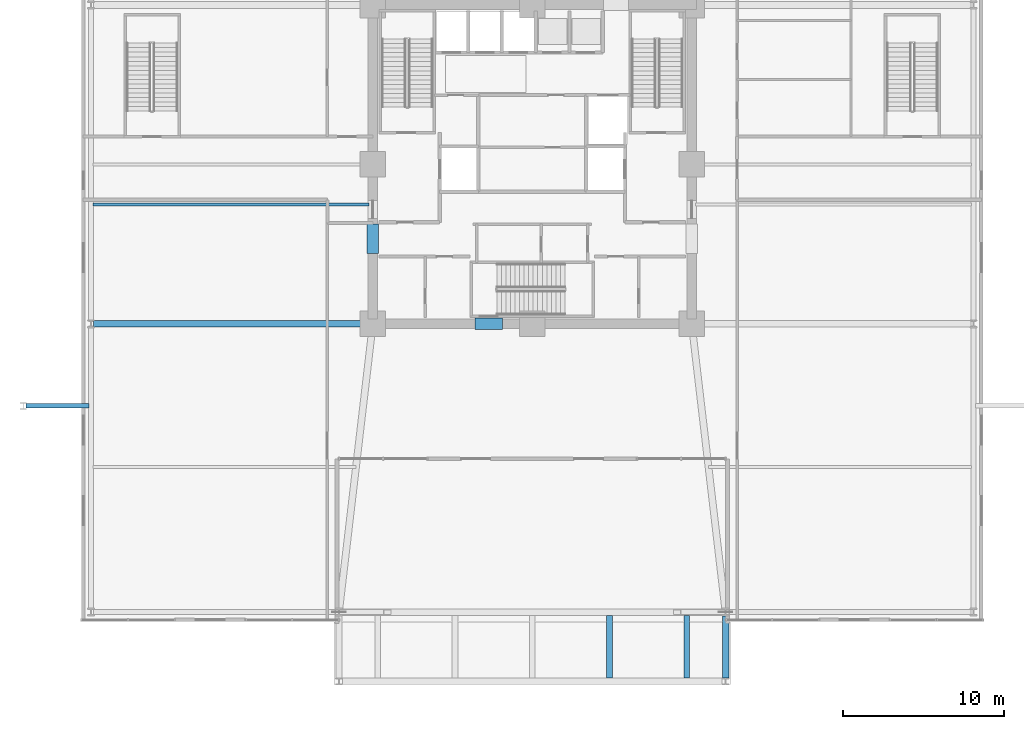
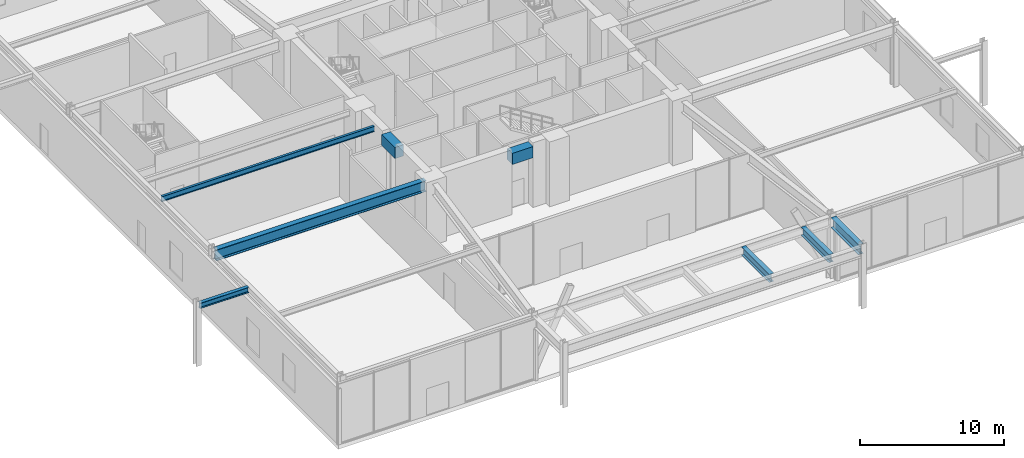
# One storey, part 9 of 24: 8 beams.
"""IFC4 building model written with IfcOpenShell, lengths in metres."""

from ifc_helpers import new_model, si_unit, direction, frame, origin, origin_2d, place, context, subcontext, project, spatial, rectangle, i_section, extrude, material, material_profile, profile_set, type_object, element, save


model = new_model("IFC4")

# Units and contexts
model_context = context("Model", 3, precision=1e-05, world=origin(), true_north=direction((0.0, 1.0)))
body_context = subcontext(model_context, "Body", "Model", "MODEL_VIEW")
ifc_project = project(units=[si_unit("LENGTHUNIT", "METRE"), si_unit("AREAUNIT", "SQUARE_METRE"), si_unit("VOLUMEUNIT", "CUBIC_METRE"), si_unit("PLANEANGLEUNIT", "RADIAN"), si_unit("MASSUNIT", "GRAM", prefix="KILO")], contexts=[model_context])

# Site, building, storey
site_placement = place(None, origin())
site = spatial("IfcSite", under=ifc_project, at=site_placement, CompositionType="ELEMENT")
building_placement = place(site_placement, origin())
building = spatial("IfcBuilding", under=site, at=building_placement, Name="Kolvaren Belvedere", CompositionType="ELEMENT")
storey_placement = place(building_placement, origin())
storey = spatial("IfcBuildingStorey", under=building, at=storey_placement, Name="L01", CompositionType="ELEMENT", Elevation=0.0)

# Beams
ifc_material_1 = material(Name="Structural steel ASTM A992 Grade 50", Category="steel")
ifc_material_profile_1 = material_profile(ifc_material_1, i_section(OverallWidth=0.281982421875, OverallDepth=0.467041015625, WebThickness=0.01220703125, FlangeThickness=0.01953125, FilletRadius=0.014892578125, at=origin_2d()), Name="W18X86")
ifc_profile_set_1 = profile_set([ifc_material_profile_1], Name="Structural steel ASTM A992 Grade 50")
beam_type_1 = type_object("IfcBeamType", Name="BM-CANT-PF", PredefinedType="BEAM", material=ifc_profile_set_1)
beam_1_placement = place(storey_placement, frame((-31.43994140625, -15.0, 4.986572265625), z_axis=(1.0, 0.0, 0.0), x_axis=(0.0, 1.0, 0.0)))
element("IfcBeam", 1, at=beam_1_placement, inside=storey, type_object=beam_type_1, Name="L01 Forecourt Canopy Tie Girder PAD-SW", PredefinedType="BEAM", context=body_context, shape_type="SweptSolid", body=[
    extrude(i_section(OverallWidth=0.281982421875, OverallDepth=0.467041015625, WebThickness=0.01220703125, FlangeThickness=0.01953125, FilletRadius=0.014892578125, at=origin_2d()), origin(), (0.0, 0.0, 1.0), 3.919921875),
])
ifc_material_2 = material(Name="Structural steel ASTM A992 Grade 50", Category="steel")
ifc_material_profile_2 = material_profile(ifc_material_2, i_section(OverallWidth=0.35498046875, OverallDepth=0.696044921875, WebThickness=0.015380859375, FlangeThickness=0.02490234375, FilletRadius=0.02197265625, at=origin_2d()), Name="W27X146")
ifc_profile_set_2 = profile_set([ifc_material_profile_2], Name="Structural steel ASTM A992 Grade 50")
beam_type_2 = type_object("IfcBeamType", Name="BM-GIRD-W27X146", PredefinedType="BEAM", material=ifc_profile_set_2)
for number, where, z_axis, x_axis, name in (
    (2, (4.800048828125, -28.010009765625, 4.85205078125), (0.0, -1.0, 0.0), (1.0, 0.0, 0.0), "Portal Canopy Secondary Rib 4"),
    (3, (9.60009765625, -28.010009765625, 4.85205078125), (0.0, -1.0, 0.0), (1.0, 0.0, 0.0), "Portal Canopy Secondary Rib 5"),
):
    element("IfcBeam", number, at=place(storey_placement, frame(where, z_axis=z_axis, x_axis=x_axis)), inside=storey, type_object=beam_type_2, Name=name, PredefinedType="BEAM", context=body_context, shape_type="SweptSolid", body=[
        extrude(i_section(OverallWidth=0.35498046875, OverallDepth=0.696044921875, WebThickness=0.015380859375, FlangeThickness=0.02490234375, FilletRadius=0.02197265625, at=origin_2d()), origin(), (0.0, 0.0, 1.0), 3.8798828125),
    ])
ifc_material_3 = material(Name="Structural steel ASTM A992 Grade 50", Category="steel")
ifc_material_profile_3 = material_profile(ifc_material_3, i_section(OverallWidth=0.39990234375, OverallDepth=0.85595703125, WebThickness=0.018310546875, FlangeThickness=0.029296875, FilletRadius=0.02490234375, at=origin_2d()), Name="W33X201")
ifc_profile_set_3 = profile_set([ifc_material_profile_3], Name="Structural steel ASTM A992 Grade 50")
beam_type_3 = type_object("IfcBeamType", Name="BM-GIRD-W33X201", PredefinedType="BEAM", material=ifc_profile_set_3)
beam_2_placement = place(storey_placement, frame((12.0, -28.050048828125, 4.77197265625), z_axis=(0.0, -1.0, 0.0), x_axis=(1.0, 0.0, 0.0)))
element("IfcBeam", 4, at=beam_2_placement, inside=storey, type_object=beam_type_3, Name="Portal Canopy Side Girder E", PredefinedType="BEAM", context=body_context, shape_type="SweptSolid", body=[
    extrude(i_section(OverallWidth=0.39990234375, OverallDepth=0.85595703125, WebThickness=0.018310546875, FlangeThickness=0.029296875, FilletRadius=0.02490234375, at=origin_2d()), origin(), (0.0, 0.0, 1.0), 3.829833984375),
])
ifc_material_4 = material(Name="Structural steel ASTM A992 Grade 50", Category="steel")
ifc_material_profile_4 = material_profile(ifc_material_4, i_section(OverallWidth=0.41796875, OverallDepth=0.927001953125, WebThickness=0.019287109375, FlangeThickness=0.031982421875, FilletRadius=0.028076171875, at=origin_2d()), Name="W36X231")
ifc_profile_set_4 = profile_set([ifc_material_profile_4], Name="Structural steel ASTM A992 Grade 50")
beam_type_4 = type_object("IfcBeamType", Name="BM-GIRD-W36X231", PredefinedType="BEAM", material=ifc_profile_set_4)
beam_3_placement = place(storey_placement, frame((-27.25, -9.89990234375, 4.756591796875), z_axis=(1.0, 0.0, 0.0), x_axis=(0.0, 1.0, 0.0)))
element("IfcBeam", 5, at=beam_3_placement, inside=storey, type_object=beam_type_4, Name="L01 West Interior Girder S", PredefinedType="BEAM", context=body_context, shape_type="SweptSolid", body=[
    extrude(i_section(OverallWidth=0.41796875, OverallDepth=0.927001953125, WebThickness=0.019287109375, FlangeThickness=0.031982421875, FilletRadius=0.028076171875, at=origin_2d()), origin(), (0.0, 0.0, 1.0), 16.89990234375),
])
ifc_material_5 = material(Name="Structural steel ASTM A992 Grade 50", Category="steel")
ifc_material_profile_5 = material_profile(ifc_material_5, i_section(OverallWidth=0.19091796875, OverallDepth=0.4599609375, WebThickness=0.010009765625, FlangeThickness=0.01611328125, FilletRadius=0.014892578125, at=origin_2d()), Name="W18X55")
ifc_profile_set_5 = profile_set([ifc_material_profile_5], Name="Structural steel ASTM A992 Grade 50")
beam_type_5 = type_object("IfcBeamType", Name="BM-JOIST-W18X55", PredefinedType="BEAM", material=ifc_profile_set_5)
beam_4_placement = place(storey_placement, frame((-27.280029296875, -2.5, 4.989990234375), z_axis=(1.0, 0.0, 0.0), x_axis=(0.0, 1.0, 0.0)))
element("IfcBeam", 6, at=beam_4_placement, inside=storey, type_object=beam_type_5, Name="L01 West Bay Floor Beam", PredefinedType="BEAM", context=body_context, shape_type="SweptSolid", body=[
    extrude(i_section(OverallWidth=0.19091796875, OverallDepth=0.4599609375, WebThickness=0.010009765625, FlangeThickness=0.01611328125, FilletRadius=0.014892578125, at=origin_2d()), origin(), (0.0, 0.0, 1.0), 17.130126953125),
])
ifc_material_6 = material(Name="Concrete C60/75", Category="concrete")
ifc_material_profile_6 = material_profile(ifc_material_6, rectangle(XDim=0.699951171875, YDim=0.949951171875, at=origin_2d()), Name="RC 700X950")
ifc_profile_set_6 = profile_set([ifc_material_profile_6], Name="Concrete C60/75")
beam_type_6 = type_object("IfcBeamType", Name="BM-LINT-950", PredefinedType="LINTEL", material=ifc_profile_set_6)
beam_5_placement = place(storey_placement, frame((-3.5400390625, -9.89990234375, 4.7451171875), z_axis=(1.0, 0.0, 0.0), x_axis=(0.0, 1.0, 0.0)))
element("IfcBeam", 7, at=beam_5_placement, inside=storey, type_object=beam_type_6, Name="L01 South Core Coupling Lintel", PredefinedType="LINTEL", context=body_context, shape_type="SweptSolid", body=[
    extrude(rectangle(XDim=0.699951171875, YDim=0.949951171875, at=origin_2d()), origin(), (0.0, 0.0, 1.0), 1.679931640625),
])
beam_6_placement = place(storey_placement, frame((-9.89990234375, -5.550048828125, 4.7451171875), z_axis=(0.0, 1.0, 0.0), x_axis=(-1.0, 0.0, 0.0)))
element("IfcBeam", 8, at=beam_6_placement, inside=storey, type_object=beam_type_6, Name="L01 West Core Coupling Lintel", PredefinedType="LINTEL", context=body_context, shape_type="SweptSolid", body=[
    extrude(rectangle(XDim=0.699951171875, YDim=0.949951171875, at=origin_2d()), origin(), (0.0, 0.0, 1.0), 1.85009765625),
])

save(model, "model.ifc")
